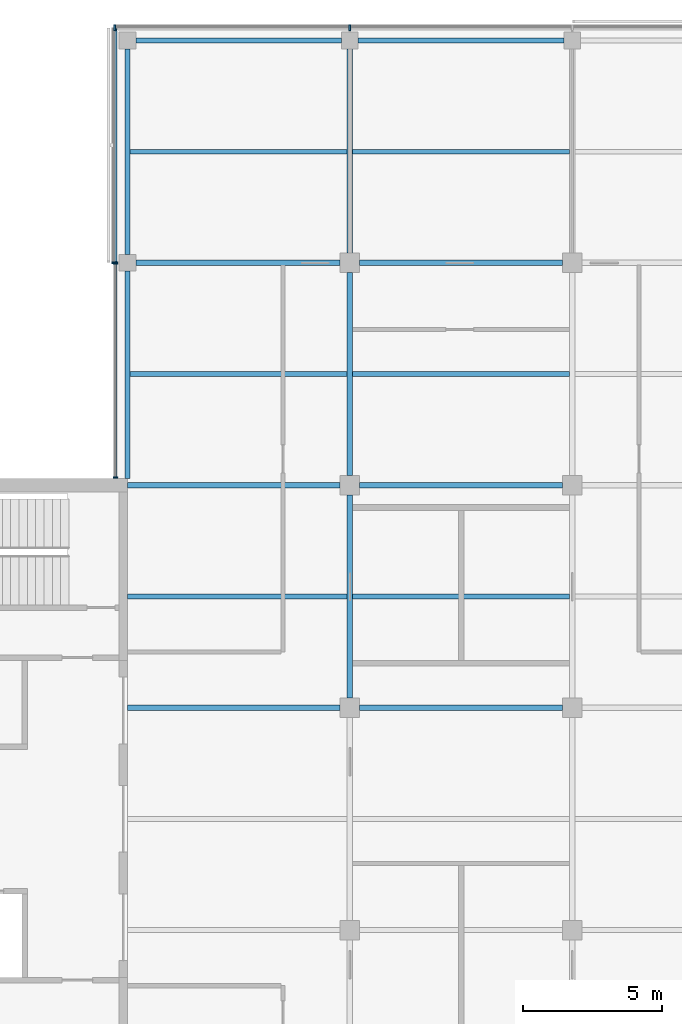
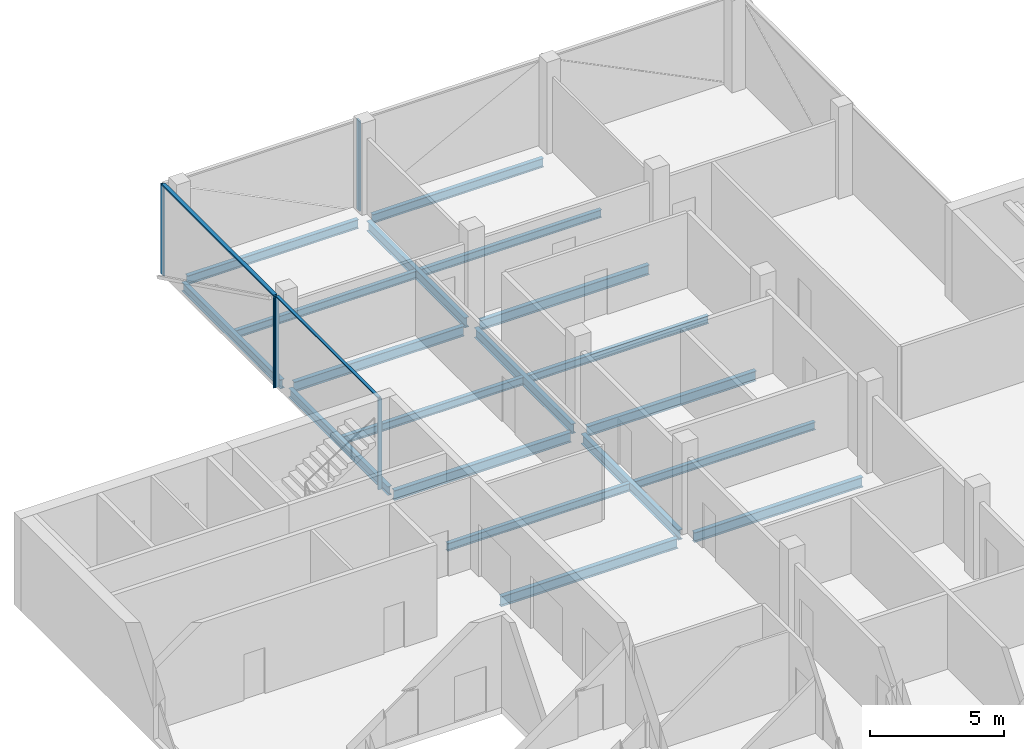
# One storey, part 5 of 16: 19 beams, 7 members, 3 elements without a shape of their own.
"""IFC4 building model written with IfcOpenShell, lengths in metres."""

from ifc_helpers import new_model, si_unit, direction, frame, origin, origin_2d, place, context, subcontext, project, spatial, rectangle, i_section, extrude, material, material_profile, profile_set, type_object, element, aggregate, save


model = new_model("IFC4")

# Units and contexts
model_context = context("Model", 3, precision=1e-05, world=origin(), true_north=direction((0.0, 1.0)))
body_context = subcontext(model_context, "Body", "Model", "MODEL_VIEW")
ifc_project = project(units=[si_unit("LENGTHUNIT", "METRE"), si_unit("AREAUNIT", "SQUARE_METRE"), si_unit("VOLUMEUNIT", "CUBIC_METRE"), si_unit("PLANEANGLEUNIT", "RADIAN"), si_unit("MASSUNIT", "GRAM", prefix="KILO")], contexts=[model_context])

# Site, building, storey
site_placement = place(None, origin())
site = spatial("IfcSite", under=ifc_project, at=site_placement, CompositionType="ELEMENT")
building_placement = place(site_placement, origin())
building = spatial("IfcBuilding", under=site, at=building_placement, Name="Crosswind Convention Tower", CompositionType="ELEMENT")
storey_placement = place(building_placement, frame((0.0, 0.0, 282.89990234375)))
storey = spatial("IfcBuildingStorey", under=building, at=storey_placement, Name="L61", CompositionType="ELEMENT", Elevation=282.89990234375)

# Beams
ifc_material_1 = material(Name="Steel S355", Category="steel")
ifc_material_profile_1 = material_profile(ifc_material_1, i_section(OverallWidth=0.177734375, OverallDepth=0.406494140625, WebThickness=0.0078125, FlangeThickness=0.0126953125, FilletRadius=0.01025390625, at=origin_2d()), Name="UB 406x178x60")
ifc_profile_set_1 = profile_set([ifc_material_profile_1], Name="Steel S355")
beam_type_1 = type_object("IfcBeamType", Name="Edge beam UB 406x178x60", PredefinedType="SPANDREL", material=ifc_profile_set_1)
beam_1_placement = place(storey_placement, frame((113.0, 112.25, -0.503173828125), z_axis=(0.0, 1.0, 0.0), x_axis=(-1.0, 0.0, 0.0)))
element("IfcBeam", 1, at=beam_1_placement, inside=storey, type_object=beam_type_1, Name="B15 L61 edge beam 3", PredefinedType="SPANDREL", context=body_context, shape_type="SweptSolid", body=[
    extrude(i_section(OverallWidth=0.177734375, OverallDepth=0.406494140625, WebThickness=0.0078125, FlangeThickness=0.0126953125, FilletRadius=0.01025390625, at=origin_2d()), origin(), (0.0, 0.0, 1.0), 7.449951171875),
])
for number, where, z_axis, x_axis, name in (
    (2, (113.0, 120.300048828125, -0.503173828125), (0.0, 1.0, 0.0), (-1.0, 0.0, 0.0), "B15 L61 edge beam 4"),
    (3, (113.300048828125, 128.0, -0.503173828125), (1.0, 0.0, 0.0), (0.0, 1.0, 0.0), "B15 L61 edge beam 6"),
    (4, (121.300048828125, 128.0, -0.503173828125), (1.0, 0.0, 0.0), (0.0, 1.0, 0.0), "B15 L61 edge beam 8"),
):
    element("IfcBeam", number, at=place(storey_placement, frame(where, z_axis=z_axis, x_axis=x_axis)), inside=storey, type_object=beam_type_1, Name=name, PredefinedType="SPANDREL", context=body_context, shape_type="SweptSolid", body=[
        extrude(i_section(OverallWidth=0.177734375, OverallDepth=0.406494140625, WebThickness=0.0078125, FlangeThickness=0.0126953125, FilletRadius=0.01025390625, at=origin_2d()), origin(), (0.0, 0.0, 1.0), 7.39990234375),
    ])
ifc_material_profile_2 = material_profile(ifc_material_1, i_section(OverallWidth=0.18994140625, OverallDepth=0.45361328125, WebThickness=0.008544921875, FlangeThickness=0.0126953125, FilletRadius=0.01025390625, at=origin_2d()), Name="UB 457x191x67")
ifc_profile_set_2 = profile_set([ifc_material_profile_2], Name="Steel S355")
beam_type_2 = type_object("IfcBeamType", Name="Girder UB 457x191x67", PredefinedType="BEAM", material=ifc_profile_set_2)
beam_2_placement = place(storey_placement, frame((113.300048828125, 120.0, -0.526611328125), z_axis=(1.0, 0.0, 0.0), x_axis=(0.0, 1.0, 0.0)))
element("IfcBeam", 5, at=beam_2_placement, inside=storey, type_object=beam_type_2, Name="B1 L61 girder 2", PredefinedType="BEAM", context=body_context, shape_type="SweptSolid", body=[
    extrude(i_section(OverallWidth=0.18994140625, OverallDepth=0.45361328125, WebThickness=0.008544921875, FlangeThickness=0.0126953125, FilletRadius=0.01025390625, at=origin_2d()), origin(), (0.0, 0.0, 1.0), 7.349853515625),
])
for number, where, z_axis, x_axis, name in (
    (6, (121.0, 104.35009765625, -0.526611328125), (0.0, 1.0, 0.0), (-1.0, 0.0, 0.0), "B1 L61 girder 7"),
    (7, (121.0, 112.35009765625, -0.526611328125), (0.0, 1.0, 0.0), (-1.0, 0.0, 0.0), "B1 L61 girder 8"),
):
    element("IfcBeam", number, at=place(storey_placement, frame(where, z_axis=z_axis, x_axis=x_axis)), inside=storey, type_object=beam_type_2, Name=name, PredefinedType="BEAM", context=body_context, shape_type="SweptSolid", body=[
        extrude(i_section(OverallWidth=0.18994140625, OverallDepth=0.45361328125, WebThickness=0.008544921875, FlangeThickness=0.0126953125, FilletRadius=0.01025390625, at=origin_2d()), origin(), (0.0, 0.0, 1.0), 7.2998046875),
    ])
beam_3_placement = place(storey_placement, frame((121.0, 120.35009765625, -0.526611328125), z_axis=(0.0, 1.0, 0.0), x_axis=(-1.0, 0.0, 0.0)))
element("IfcBeam", 8, at=beam_3_placement, inside=storey, type_object=beam_type_2, Name="B1 L61 girder 9", PredefinedType="BEAM", context=body_context, shape_type="SweptSolid", body=[
    extrude(i_section(OverallWidth=0.18994140625, OverallDepth=0.45361328125, WebThickness=0.008544921875, FlangeThickness=0.0126953125, FilletRadius=0.01025390625, at=origin_2d()), origin(), (0.0, 0.0, 1.0), 7.349853515625),
])
for number, where, z_axis, x_axis, name in (
    (9, (121.35009765625, 104.0, -0.526611328125), (1.0, 0.0, 0.0), (0.0, 1.0, 0.0), "B1 L61 girder 13"),
    (10, (121.35009765625, 112.0, -0.526611328125), (1.0, 0.0, 0.0), (0.0, 1.0, 0.0), "B1 L61 girder 14"),
    (11, (121.35009765625, 120.0, -0.526611328125), (1.0, 0.0, 0.0), (0.0, 1.0, 0.0), "B1 L61 girder 15"),
):
    element("IfcBeam", number, at=place(storey_placement, frame(where, z_axis=z_axis, x_axis=x_axis)), inside=storey, type_object=beam_type_2, Name=name, PredefinedType="BEAM", context=body_context, shape_type="SweptSolid", body=[
        extrude(i_section(OverallWidth=0.18994140625, OverallDepth=0.45361328125, WebThickness=0.008544921875, FlangeThickness=0.0126953125, FilletRadius=0.01025390625, at=origin_2d()), origin(), (0.0, 0.0, 1.0), 7.2998046875),
    ])
ifc_material_profile_3 = material_profile(ifc_material_1, i_section(OverallWidth=0.1904296875, OverallDepth=0.457275390625, WebThickness=0.009033203125, FlangeThickness=0.014404296875, FilletRadius=0.01025390625, at=origin_2d()), Name="UB 457x191x75")
ifc_profile_set_3 = profile_set([ifc_material_profile_3], Name="Steel S355")
beam_type_3 = type_object("IfcBeamType", Name="Girder at core wall UB 457x191x75", PredefinedType="BEAM", material=ifc_profile_set_3)
for number, where, z_axis, x_axis, name in (
    (12, (113.0, 104.0, -0.528564453125), (1.0, 0.0, 0.0), (0.0, 1.0, 0.0), "B22 L61 girder at core wall 3"),
    (13, (113.0, 112.0, -0.528564453125), (1.0, 0.0, 0.0), (0.0, 1.0, 0.0), "B22 L61 girder at core wall 4"),
):
    element("IfcBeam", number, at=place(storey_placement, frame(where, z_axis=z_axis, x_axis=x_axis)), inside=storey, type_object=beam_type_3, Name=name, PredefinedType="BEAM", context=body_context, shape_type="SweptSolid", body=[
        extrude(i_section(OverallWidth=0.1904296875, OverallDepth=0.457275390625, WebThickness=0.009033203125, FlangeThickness=0.014404296875, FilletRadius=0.01025390625, at=origin_2d()), origin(), (0.0, 0.0, 1.0), 7.64990234375),
    ])

# Curtain wall, members
ifc_material_2 = material(Name="Aluminium unitised curtain wall", Category="aluminium")
curtain_wall_type_1 = type_object("IfcCurtainWallType", Name="CORE END SLOT WALL 160", PredefinedType="USERDEFINED", material=ifc_material_2)
curtain_wall_1_placement = place(storey_placement, origin())
curtain_wall_1 = element("IfcCurtainWall", 14, at=curtain_wall_1_placement, inside=storey, type_object=curtain_wall_type_1, Name="CW6 L61 N-W.1-2 slot", ObjectType="UNITISED", PredefinedType="USERDEFINED")
ifc_material_3 = material(Name="Aluminium mullion", Category="aluminium")
ifc_material_profile_4 = material_profile(ifc_material_3, rectangle(XDim=0.159912109375, YDim=0.050048828125, at=origin_2d()), Name="AL 160X50")
ifc_profile_set_4 = profile_set([ifc_material_profile_4], Name="Aluminium mullion")
member_type_1 = type_object("IfcMemberType", Name="MULLION 50X160", PredefinedType="MULLION", material=ifc_profile_set_4)
member_1_placement = place(storey_placement, frame((112.570068359375, 119.97509765625, -0.2998046875), z_axis=(0.0, 0.0, 1.0), x_axis=(-1.0, 0.0, 0.0)))
member_1 = element("IfcMember", 15, at=member_1_placement, type_object=member_type_1, Name="CW6 mullion 1", PredefinedType="MULLION", context=body_context, shape_type="SweptSolid", body=[
    extrude(rectangle(XDim=0.159912109375, YDim=0.050048828125, at=origin_2d()), origin(), (0.0, 0.0, 1.0), 4.14990234375),
])
member_2_placement = place(storey_placement, frame((112.570068359375, 112.27490234375, -0.2998046875), z_axis=(0.0, 0.0, 1.0), x_axis=(-1.0, 0.0, 0.0)))
member_2 = element("IfcMember", 16, at=member_2_placement, type_object=member_type_1, Name="CW6 mullion 2", PredefinedType="MULLION", context=body_context, shape_type="SweptSolid", body=[
    extrude(rectangle(XDim=0.159912109375, YDim=0.050048828125, at=origin_2d()), origin(), (0.0, 0.0, 1.0), 4.14990234375),
])

curtain_wall_type_2 = type_object("IfcCurtainWallType", Name="OFFICE UNITISED WALL 220", PredefinedType="USERDEFINED", material=ifc_material_2)
curtain_wall_2_placement = place(storey_placement, origin())
curtain_wall_2 = element("IfcCurtainWall", 17, at=curtain_wall_2_placement, inside=storey, type_object=curtain_wall_type_2, Name="CW3 L61 N-TIP 1", ObjectType="UNITISED", PredefinedType="USERDEFINED")
ifc_material_profile_5 = material_profile(ifc_material_3, rectangle(XDim=0.219970703125, YDim=0.070068359375, at=origin_2d()), Name="AL 220X70")
ifc_profile_set_5 = profile_set([ifc_material_profile_5], Name="Aluminium mullion")
member_type_2 = type_object("IfcMemberType", Name="MULLION 70X220", PredefinedType="MULLION", material=ifc_profile_set_5)
member_3_placement = place(storey_placement, frame((121.0, 128.4599609375, -0.2998046875), z_axis=(0.0, 0.0, 1.0), x_axis=(0.0, 1.0, 0.0)))
member_3 = element("IfcMember", 18, at=member_3_placement, type_object=member_type_2, Name="CW3 mullion 3", PredefinedType="MULLION", context=body_context, shape_type="SweptSolid", body=[
    extrude(rectangle(XDim=0.219970703125, YDim=0.070068359375, at=origin_2d()), origin(), (0.0, 0.0, 1.0), 4.1298828125),
])
member_4_placement = place(storey_placement, frame((112.5400390625, 128.4599609375, -0.2998046875), z_axis=(0.0, 0.0, 1.0), x_axis=(0.0, 1.0, 0.0)))
member_4 = element("IfcMember", 19, at=member_4_placement, type_object=member_type_2, Name="CW3 mullion 4", PredefinedType="MULLION", context=body_context, shape_type="SweptSolid", body=[
    extrude(rectangle(XDim=0.219970703125, YDim=0.070068359375, at=origin_2d()), origin(), (0.0, 0.0, 1.0), 4.1298828125),
])
aggregate(curtain_wall_2, [member_3, member_4])

# Curtain wall, member
curtain_wall_3_placement = place(storey_placement, origin())
curtain_wall_3 = element("IfcCurtainWall", 20, at=curtain_wall_3_placement, inside=storey, type_object=curtain_wall_type_2, Name="CW3 L61 N-W 1", ObjectType="UNITISED", PredefinedType="USERDEFINED")
member_5_placement = place(storey_placement, frame((112.5400390625, 120.0, -0.2998046875), z_axis=(0.0, 0.0, 1.0), x_axis=(-1.0, 0.0, 0.0)))
member_5 = element("IfcMember", 21, at=member_5_placement, type_object=member_type_2, Name="CW3 mullion 2", PredefinedType="MULLION", context=body_context, shape_type="SweptSolid", body=[
    extrude(rectangle(XDim=0.219970703125, YDim=0.070068359375, at=origin_2d()), origin(), (0.0, 0.0, 1.0), 4.1298828125),
])

# Beams
ifc_material_profile_6 = material_profile(ifc_material_1, i_section(OverallWidth=0.17138671875, OverallDepth=0.355712890625, WebThickness=0.00732421875, FlangeThickness=0.011474609375, FilletRadius=0.01025390625, at=origin_2d()), Name="UB 356x171x51")
ifc_profile_set_6 = profile_set([ifc_material_profile_6], Name="Steel S355")
beam_type_4 = type_object("IfcBeamType", Name="Secondary beam UB 356x171x51", PredefinedType="JOIST", material=ifc_profile_set_6)
beam_4_placement = place(storey_placement, frame((113.0, 108.0, -0.477783203125), z_axis=(1.0, 0.0, 0.0), x_axis=(0.0, 1.0, 0.0)))
element("IfcBeam", 22, at=beam_4_placement, inside=storey, type_object=beam_type_4, Name="B8 L61 secondary beam 3", PredefinedType="JOIST", context=body_context, shape_type="SweptSolid", body=[
    extrude(i_section(OverallWidth=0.17138671875, OverallDepth=0.355712890625, WebThickness=0.00732421875, FlangeThickness=0.011474609375, FilletRadius=0.01025390625, at=origin_2d()), origin(), (0.0, 0.0, 1.0), 7.905029296875),
])
for number, where, z_axis, x_axis, name in (
    (23, (113.0888671875, 116.0, -0.477783203125), (1.0, 0.0, 0.0), (0.0, 1.0, 0.0), "B8 L61 secondary beam 6"),
    (24, (113.0888671875, 124.0, -0.477783203125), (1.0, 0.0, 0.0), (0.0, 1.0, 0.0), "B8 L61 secondary beam 7"),
):
    element("IfcBeam", number, at=place(storey_placement, frame(where, z_axis=z_axis, x_axis=x_axis)), inside=storey, type_object=beam_type_4, Name=name, PredefinedType="JOIST", context=body_context, shape_type="SweptSolid", body=[
        extrude(i_section(OverallWidth=0.17138671875, OverallDepth=0.355712890625, WebThickness=0.00732421875, FlangeThickness=0.011474609375, FilletRadius=0.01025390625, at=origin_2d()), origin(), (0.0, 0.0, 1.0), 7.816162109375),
    ])
for number, where, z_axis, x_axis, name in (
    (25, (121.094970703125, 108.0, -0.477783203125), (1.0, 0.0, 0.0), (0.0, 1.0, 0.0), "B8 L61 secondary beam 12"),
    (26, (121.094970703125, 116.0, -0.477783203125), (1.0, 0.0, 0.0), (0.0, 1.0, 0.0), "B8 L61 secondary beam 13"),
    (27, (121.094970703125, 124.0, -0.477783203125), (1.0, 0.0, 0.0), (0.0, 1.0, 0.0), "B8 L61 secondary beam 14"),
):
    element("IfcBeam", number, at=place(storey_placement, frame(where, z_axis=z_axis, x_axis=x_axis)), inside=storey, type_object=beam_type_4, Name=name, PredefinedType="JOIST", context=body_context, shape_type="SweptSolid", body=[
        extrude(i_section(OverallWidth=0.17138671875, OverallDepth=0.355712890625, WebThickness=0.00732421875, FlangeThickness=0.011474609375, FilletRadius=0.01025390625, at=origin_2d()), origin(), (0.0, 0.0, 1.0), 7.81005859375),
    ])

# Member
ifc_material_4 = material(Name="Aluminium transom", Category="aluminium")
ifc_material_profile_7 = material_profile(ifc_material_4, rectangle(XDim=0.1201171875, YDim=0.050048828125, at=origin_2d()), Name="AL 120X50")
ifc_profile_set_7 = profile_set([ifc_material_profile_7], Name="Aluminium transom")
member_type_3 = type_object("IfcMemberType", Name="TRANSOM 50X120", PredefinedType="USERDEFINED", material=ifc_profile_set_7)
member_6_placement = place(storey_placement, frame((112.570068359375, 119.949951171875, 3.875), z_axis=(0.0, -1.0, 0.0), x_axis=(1.0, 0.0, 0.0)))
member_6 = element("IfcMember", 28, at=member_6_placement, type_object=member_type_3, Name="CW6 transom", ObjectType="TRANSOM", PredefinedType="USERDEFINED", context=body_context, shape_type="SweptSolid", body=[
    extrude(rectangle(XDim=0.1201171875, YDim=0.050048828125, at=origin_2d()), origin(), (0.0, 0.0, 1.0), 7.64990234375),
])

aggregate(curtain_wall_1, [member_1, member_2, member_6])

ifc_material_profile_8 = material_profile(ifc_material_4, rectangle(XDim=0.159912109375, YDim=0.070068359375, at=origin_2d()), Name="AL 160X70")
ifc_profile_set_8 = profile_set([ifc_material_profile_8], Name="Aluminium transom")
member_type_4 = type_object("IfcMemberType", Name="TRANSOM 70X160", PredefinedType="USERDEFINED", material=ifc_profile_set_8)
member_7_placement = place(storey_placement, frame((112.5400390625, 128.425048828125, 3.864990234375), z_axis=(0.0, -1.0, 0.0), x_axis=(1.0, 0.0, 0.0)))
member_7 = element("IfcMember", 29, at=member_7_placement, type_object=member_type_4, Name="CW3 transom", ObjectType="TRANSOM", PredefinedType="USERDEFINED", context=body_context, shape_type="SweptSolid", body=[
    extrude(rectangle(XDim=0.159912109375, YDim=0.070068359375, at=origin_2d()), origin(), (0.0, 0.0, 1.0), 8.39013671875),
])

aggregate(curtain_wall_3, [member_5, member_7])

save(model, "model.ifc")
